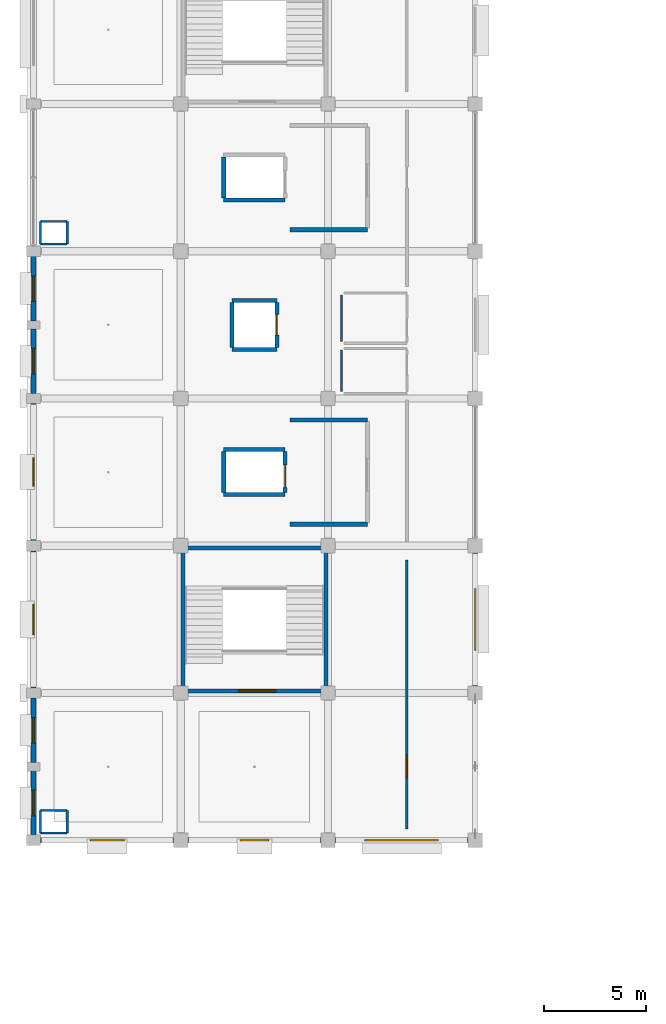
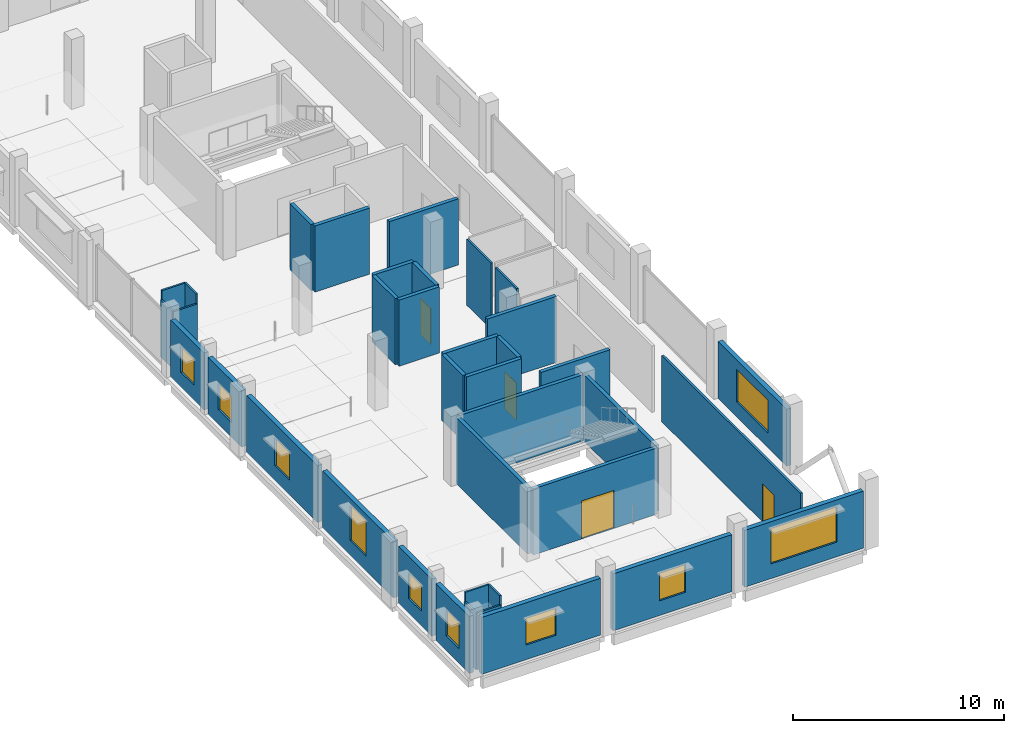
# One storey, part 52 of 77: 38 walls, 10 windows, 4 doors, 14 openings.
"""IFC4 building model written with IfcOpenShell, lengths in metres."""

from ifc_helpers import new_model, si_unit, direction, frame, frame_2d, origin, place, context, subcontext, project, spatial, rectangle, extrude, material, layer, layer_set, type_object, element, fill, save


model = new_model("IFC4")

# Units and contexts
model_context = context("Model", 3, precision=1e-05, world=origin(), true_north=direction((0.0, 1.0)))
body_context = subcontext(model_context, "Body", "Model", "MODEL_VIEW")
ifc_project = project(units=[si_unit("LENGTHUNIT", "METRE"), si_unit("AREAUNIT", "SQUARE_METRE"), si_unit("VOLUMEUNIT", "CUBIC_METRE"), si_unit("PLANEANGLEUNIT", "RADIAN"), si_unit("MASSUNIT", "GRAM", prefix="KILO")], contexts=[model_context])

# Site, building, storey
site_placement = place(None, origin())
site = spatial("IfcSite", under=ifc_project, at=site_placement, CompositionType="ELEMENT")
building_placement = place(site_placement, origin())
building = spatial("IfcBuilding", under=site, at=building_placement, Name="Kangsadwip Square Police Headquarters", CompositionType="ELEMENT")
storey_placement = place(building_placement, frame((0.0, 0.0, 17.550048828125)))
storey = spatial("IfcBuildingStorey", under=building, at=storey_placement, Name="L04", CompositionType="ELEMENT", Elevation=17.550048828125)

# Wall, opening, door
ifc_material_1 = material(Name="Fire-rated double gypsum board acoustic stud partition", Category="masonry")
ifc_layer_1 = layer(ifc_material_1, 0.1201171875)
ifc_layer_set_1 = layer_set([ifc_layer_1], Name="Fire-rated double gypsum board acoustic stud partition")
wall_type_1 = type_object("IfcWallType", Name="AcousticPartition120", PredefinedType="PARTITIONING", material=ifc_layer_set_1)
wall_1_placement = place(storey_placement, frame((18.25, 36.550048828125, 0.0), z_axis=(0.0, 0.0, 1.0), x_axis=(0.0, 1.0, 0.0)))
wall_1 = element("IfcWall", 1, at=wall_1_placement, inside=storey, type_object=wall_type_1, Name="Interior Wall WI-L04-0858", PredefinedType="PARTITIONING", context=body_context, shape_type="SweptSolid", body=[
    extrude(rectangle(XDim=13.14990234375, YDim=0.1201171875, at=frame_2d((6.574951171875, 0.0))), origin(), (0.0, 0.0, 1.0), 3.829833984375),
])
opening_1_placement = place(wall_1_placement, frame((2.510009765625, 0.0, 0.0)))
opening_1 = element("IfcOpeningElement", 2, at=opening_1_placement, cuts=wall_1, Name="Opening FD-11A", PredefinedType="OPENING", context=body_context, shape_type="SweptSolid", body=[
    extrude(rectangle(XDim=1.10009765625, YDim=2.199951171875, at=frame_2d((0.550048828125, 1.10009765625))), frame((0.0, 0.070068359375, 0.0), z_axis=(0.0, -1.0, 0.0), x_axis=(1.0, 0.0, 0.0)), (0.0, 0.0, 1.0), 0.14013671875),
])
ifc_material_2 = material(Name="Insulated galvanized steel fire-rated door assembly", Category="steel")
door_type_1 = type_object("IfcDoorType", Name="LabSingleDoor1100x2200", OperationType="NOTDEFINED", PredefinedType="DOOR", material=ifc_material_2)
door_1_placement = place(opening_1_placement, origin())
door_1 = element("IfcDoor", 3, at=door_1_placement, inside=storey, type_object=door_type_1, Name="Interior Door ID-L04-0231", OperationType="SINGLE_SWING_RIGHT", OverallHeight=2.199951171875, OverallWidth=1.10009765625, PredefinedType="DOOR", context=body_context, shape_type="SweptSolid", body=[
    extrude(rectangle(XDim=1.10009765625, YDim=2.199951171875, at=frame_2d((0.550048828125, 1.10009765625))), frame((0.0, 0.02490234375, 0.0), z_axis=(0.0, -1.0, 0.0), x_axis=(1.0, 0.0, 0.0)), (0.0, 0.0, 1.0), 0.050048828125),
])
fill(opening_1, door_1)

# Wall, opening, window
ifc_material_3 = material(Name="Glazed architectural terracotta masonry rainscreen", Category="masonry")
ifc_layer_2 = layer(ifc_material_3, 0.25)
ifc_layer_set_2 = layer_set([ifc_layer_2], Name="Glazed architectural terracotta masonry rainscreen")
wall_type_2 = type_object("IfcWallType", Name="ChicagoTerracottaWall250", PredefinedType="SOLIDWALL", material=ifc_layer_set_2)
wall_2_placement = place(storey_placement, frame((0.344970703125, 36.0, 0.0), z_axis=(0.0, 0.0, 1.0), x_axis=(1.0, 0.0, 0.0)))
wall_2 = element("IfcWall", 4, at=wall_2_placement, inside=storey, type_object=wall_type_2, Name="Exterior Wall WE-L04-428", PredefinedType="SOLIDWALL", context=body_context, shape_type="SweptSolid", body=[
    extrude(rectangle(XDim=6.510009765625, YDim=0.25, at=frame_2d((3.2548828125, 0.0))), origin(), (0.0, 0.0, 1.0), 3.294921875),
])
opening_2_placement = place(wall_2_placement, frame((2.429931640625, 0.0, 0.85009765625)))
opening_2 = element("IfcOpeningElement", 5, at=opening_2_placement, cuts=wall_2, Name="Opening WN-11", PredefinedType="OPENING", context=body_context, shape_type="SweptSolid", body=[
    extrude(rectangle(XDim=1.64990234375, YDim=1.550048828125, at=frame_2d((0.824951171875, 0.77490234375))), frame((0.0, 0.135009765625, 0.0), z_axis=(0.0, -1.0, 0.0), x_axis=(1.0, 0.0, 0.0)), (0.0, 0.0, 1.0), 0.27001953125),
])
ifc_material_4 = material(Name="Double-glazed solar-control low-E safety glass", Category="glass")
window_type_1 = type_object("IfcWindowType", Name="LabCleanViewWin1650x1550", PartitioningType="SINGLE_PANEL", PredefinedType="WINDOW", material=ifc_material_4)
window_1_placement = place(opening_2_placement, origin())
window_1 = element("IfcWindow", 6, at=window_1_placement, inside=storey, type_object=window_type_1, Name="Window WN-L04-0279", OverallHeight=1.550048828125, OverallWidth=1.64990234375, PartitioningType="SINGLE_PANEL", PredefinedType="WINDOW", context=body_context, shape_type="SweptSolid", body=[
    extrude(rectangle(XDim=1.64990234375, YDim=1.550048828125, at=frame_2d((0.824951171875, 0.77490234375))), frame((0.0, 0.030029296875, 0.0), z_axis=(0.0, -1.0, 0.0), x_axis=(1.0, 0.0, 0.0)), (0.0, 0.0, 1.0), 0.06005859375),
])
fill(opening_2, window_1)

wall_3_placement = place(storey_placement, frame((7.544921875, 36.0, 0.0), z_axis=(0.0, 0.0, 1.0), x_axis=(1.0, 0.0, 0.0)))
wall_3 = element("IfcWall", 7, at=wall_3_placement, inside=storey, type_object=wall_type_2, Name="Exterior Wall WE-L04-429", PredefinedType="SOLIDWALL", context=body_context, shape_type="SweptSolid", body=[
    extrude(rectangle(XDim=6.510009765625, YDim=0.25, at=frame_2d((3.2548828125, 0.0))), origin(), (0.0, 0.0, 1.0), 3.294921875),
])
opening_3_placement = place(wall_3_placement, frame((2.554931640625, 0.0, 0.85009765625)))
opening_3 = element("IfcOpeningElement", 8, at=opening_3_placement, cuts=wall_3, Name="Opening WN-13", PredefinedType="OPENING", context=body_context, shape_type="SweptSolid", body=[
    extrude(rectangle(XDim=1.39990234375, YDim=1.60009765625, at=frame_2d((0.699951171875, 0.800048828125))), frame((0.0, 0.135009765625, 0.0), z_axis=(0.0, -1.0, 0.0), x_axis=(1.0, 0.0, 0.0)), (0.0, 0.0, 1.0), 0.27001953125),
])
ifc_material_5 = material(Name="Double-glazed solar-control low-E safety glass", Category="glass")
window_type_2 = type_object("IfcWindowType", Name="OfficeCasementWin1400x1600", PartitioningType="SINGLE_PANEL", PredefinedType="WINDOW", material=ifc_material_5)
window_2_placement = place(opening_3_placement, origin())
window_2 = element("IfcWindow", 9, at=window_2_placement, inside=storey, type_object=window_type_2, Name="Window WN-L04-0280", OverallHeight=1.60009765625, OverallWidth=1.39990234375, PartitioningType="SINGLE_PANEL", PredefinedType="WINDOW", context=body_context, shape_type="SweptSolid", body=[
    extrude(rectangle(XDim=1.39990234375, YDim=1.60009765625, at=frame_2d((0.699951171875, 0.800048828125))), frame((0.0, 0.030029296875, 0.0), z_axis=(0.0, -1.0, 0.0), x_axis=(1.0, 0.0, 0.0)), (0.0, 0.0, 1.0), 0.06005859375),
])
fill(opening_3, window_2)

wall_4_placement = place(storey_placement, frame((14.7451171875, 36.0, 0.0), z_axis=(0.0, 0.0, 1.0), x_axis=(1.0, 0.0, 0.0)))
wall_4 = element("IfcWall", 10, at=wall_4_placement, inside=storey, type_object=wall_type_2, Name="Exterior Wall WE-L04-430", PredefinedType="SOLIDWALL", context=body_context, shape_type="SweptSolid", body=[
    extrude(rectangle(XDim=6.509765625, YDim=0.25, at=frame_2d((3.2548828125, 0.0))), origin(), (0.0, 0.0, 1.0), 3.294921875),
])
opening_4_placement = place(wall_4_placement, frame((1.455078125, 0.0, 0.85009765625)))
opening_4 = element("IfcOpeningElement", 11, at=opening_4_placement, cuts=wall_4, Name="Opening WN-01", PredefinedType="OPENING", context=body_context, shape_type="SweptSolid", body=[
    extrude(rectangle(XDim=3.60009765625, YDim=2.050048828125, at=frame_2d((1.800048828125, 1.02490234375))), frame((0.0, 0.135009765625, 0.0), z_axis=(0.0, -1.0, 0.0), x_axis=(1.0, 0.0, 0.0)), (0.0, 0.0, 1.0), 0.27001953125),
])
ifc_material_6 = material(Name="Double-glazed solar-control low-E safety glass", Category="glass")
window_type_3 = type_object("IfcWindowType", Name="ChicagoTripartiteWin3600x2050", PartitioningType="TRIPLE_PANEL_HORIZONTAL", PredefinedType="WINDOW", material=ifc_material_6)
window_3_placement = place(opening_4_placement, origin())
window_3 = element("IfcWindow", 12, at=window_3_placement, inside=storey, type_object=window_type_3, Name="Window WN-L04-0281", OverallHeight=2.050048828125, OverallWidth=3.60009765625, PartitioningType="SINGLE_PANEL", PredefinedType="WINDOW", context=body_context, shape_type="SweptSolid", body=[
    extrude(rectangle(XDim=3.60009765625, YDim=2.050048828125, at=frame_2d((1.800048828125, 1.02490234375))), frame((0.0, 0.030029296875, 0.0), z_axis=(0.0, -1.0, 0.0), x_axis=(1.0, 0.0, 0.0)), (0.0, 0.0, 1.0), 0.06005859375),
])
fill(opening_4, window_3)

wall_5_placement = place(storey_placement, frame((0.0, 36.2451171875, 0.0), z_axis=(0.0, 0.0, 1.0), x_axis=(0.0, 1.0, 0.0)))
wall_5 = element("IfcWall", 13, at=wall_5_placement, inside=storey, type_object=wall_type_2, Name="Exterior Wall WE-L04-440", PredefinedType="SOLIDWALL", context=body_context, shape_type="SweptSolid", body=[
    extrude(rectangle(XDim=3.159912109375, YDim=0.25, at=frame_2d((1.580078125, 0.0))), origin(), (0.0, 0.0, 1.0), 3.294921875),
])
opening_5_placement = place(wall_5_placement, frame((0.955078125, 0.0, 0.85009765625)))
opening_5 = element("IfcOpeningElement", 14, at=opening_5_placement, cuts=wall_5, Name="Opening WN-14", PredefinedType="OPENING", context=body_context, shape_type="SweptSolid", body=[
    extrude(rectangle(XDim=1.25, YDim=1.5, at=frame_2d((0.625, 0.75))), frame((0.0, 0.135009765625, 0.0), z_axis=(0.0, -1.0, 0.0), x_axis=(1.0, 0.0, 0.0)), (0.0, 0.0, 1.0), 0.27001953125),
])
ifc_material_7 = material(Name="Double-glazed solar-control low-E safety glass", Category="glass")
window_type_4 = type_object("IfcWindowType", Name="OfficeCasementWin1250x1500", PartitioningType="SINGLE_PANEL", PredefinedType="WINDOW", material=ifc_material_7)
window_4_placement = place(opening_5_placement, origin())
window_4 = element("IfcWindow", 15, at=window_4_placement, inside=storey, type_object=window_type_4, Name="Window WN-L04-0290", OverallHeight=1.5, OverallWidth=1.25, PartitioningType="SINGLE_PANEL", PredefinedType="WINDOW", context=body_context, shape_type="SweptSolid", body=[
    extrude(rectangle(XDim=1.25, YDim=1.5, at=frame_2d((0.625, 0.75))), frame((0.0, 0.030029296875, 0.0), z_axis=(0.0, -1.0, 0.0), x_axis=(1.0, 0.0, 0.0)), (0.0, 0.0, 1.0), 0.06005859375),
])
fill(opening_5, window_4)

wall_6_placement = place(storey_placement, frame((0.0, 39.794921875, 0.0), z_axis=(0.0, 0.0, 1.0), x_axis=(0.0, 1.0, 0.0)))
wall_6 = element("IfcWall", 16, at=wall_6_placement, inside=storey, type_object=wall_type_2, Name="Exterior Wall WE-L04-441", PredefinedType="SOLIDWALL", context=body_context, shape_type="SweptSolid", body=[
    extrude(rectangle(XDim=3.16015625, YDim=0.25, at=frame_2d((1.580078125, 0.0))), origin(), (0.0, 0.0, 1.0), 3.294921875),
])
opening_6_placement = place(wall_6_placement, frame((0.955078125, 0.0, 0.85009765625)))
opening_6 = element("IfcOpeningElement", 17, at=opening_6_placement, cuts=wall_6, Name="Opening WN-14", PredefinedType="OPENING", context=body_context, shape_type="SweptSolid", body=[
    extrude(rectangle(XDim=1.25, YDim=1.5, at=frame_2d((0.625, 0.75))), frame((0.0, 0.135009765625, 0.0), z_axis=(0.0, -1.0, 0.0), x_axis=(1.0, 0.0, 0.0)), (0.0, 0.0, 1.0), 0.27001953125),
])
window_5_placement = place(opening_6_placement, origin())
window_5 = element("IfcWindow", 18, at=window_5_placement, inside=storey, type_object=window_type_4, Name="Window WN-L04-0291", OverallHeight=1.5, OverallWidth=1.25, PartitioningType="SINGLE_PANEL", PredefinedType="WINDOW", context=body_context, shape_type="SweptSolid", body=[
    extrude(rectangle(XDim=1.25, YDim=1.5, at=frame_2d((0.625, 0.75))), frame((0.0, 0.030029296875, 0.0), z_axis=(0.0, -1.0, 0.0), x_axis=(1.0, 0.0, 0.0)), (0.0, 0.0, 1.0), 0.06005859375),
])
fill(opening_6, window_5)

wall_7_placement = place(storey_placement, frame((0.0, 43.445068359375, 0.0), z_axis=(0.0, 0.0, 1.0), x_axis=(0.0, 1.0, 0.0)))
wall_7 = element("IfcWall", 19, at=wall_7_placement, inside=storey, type_object=wall_type_2, Name="Exterior Wall WE-L04-442", PredefinedType="SOLIDWALL", context=body_context, shape_type="SweptSolid", body=[
    extrude(rectangle(XDim=6.7099609375, YDim=0.25, at=frame_2d((3.35498046875, 0.0))), origin(), (0.0, 0.0, 1.0), 3.294921875),
])
opening_7_placement = place(wall_7_placement, frame((2.60498046875, 0.0, 0.85009765625)))
opening_7 = element("IfcOpeningElement", 20, at=opening_7_placement, cuts=wall_7, Name="Opening WN-12", PredefinedType="OPENING", context=body_context, shape_type="SweptSolid", body=[
    extrude(rectangle(XDim=1.5, YDim=2.050048828125, at=frame_2d((0.75, 1.02490234375))), frame((0.0, 0.135009765625, 0.0), z_axis=(0.0, -1.0, 0.0), x_axis=(1.0, 0.0, 0.0)), (0.0, 0.0, 1.0), 0.27001953125),
])
ifc_material_8 = material(Name="Double-glazed solar-control low-E safety glass", Category="glass")
window_type_5 = type_object("IfcWindowType", Name="DirectorateTallWin1500x2050", PartitioningType="SINGLE_PANEL", PredefinedType="WINDOW", material=ifc_material_8)
window_6_placement = place(opening_7_placement, origin())
window_6 = element("IfcWindow", 21, at=window_6_placement, inside=storey, type_object=window_type_5, Name="Window WN-L04-0292", OverallHeight=2.050048828125, OverallWidth=1.5, PartitioningType="SINGLE_PANEL", PredefinedType="WINDOW", context=body_context, shape_type="SweptSolid", body=[
    extrude(rectangle(XDim=1.5, YDim=2.050048828125, at=frame_2d((0.75, 1.02490234375))), frame((0.0, 0.030029296875, 0.0), z_axis=(0.0, -1.0, 0.0), x_axis=(1.0, 0.0, 0.0)), (0.0, 0.0, 1.0), 0.06005859375),
])
fill(opening_7, window_6)

wall_8_placement = place(storey_placement, frame((0.0, 50.64501953125, 0.0), z_axis=(0.0, 0.0, 1.0), x_axis=(0.0, 1.0, 0.0)))
wall_8 = element("IfcWall", 22, at=wall_8_placement, inside=storey, type_object=wall_type_2, Name="Exterior Wall WE-L04-443", PredefinedType="SOLIDWALL", context=body_context, shape_type="SweptSolid", body=[
    extrude(rectangle(XDim=6.7099609375, YDim=0.25, at=frame_2d((3.35498046875, 0.0))), origin(), (0.0, 0.0, 1.0), 3.294921875),
])
opening_8_placement = place(wall_8_placement, frame((2.655029296875, 0.0, 0.85009765625)))
opening_8 = element("IfcOpeningElement", 23, at=opening_8_placement, cuts=wall_8, Name="Opening WN-13", PredefinedType="OPENING", context=body_context, shape_type="SweptSolid", body=[
    extrude(rectangle(XDim=1.39990234375, YDim=1.60009765625, at=frame_2d((0.699951171875, 0.800048828125))), frame((0.0, 0.135009765625, 0.0), z_axis=(0.0, -1.0, 0.0), x_axis=(1.0, 0.0, 0.0)), (0.0, 0.0, 1.0), 0.27001953125),
])
window_7_placement = place(opening_8_placement, origin())
window_7 = element("IfcWindow", 24, at=window_7_placement, inside=storey, type_object=window_type_2, Name="Window WN-L04-0293", OverallHeight=1.60009765625, OverallWidth=1.39990234375, PartitioningType="SINGLE_PANEL", PredefinedType="WINDOW", context=body_context, shape_type="SweptSolid", body=[
    extrude(rectangle(XDim=1.39990234375, YDim=1.60009765625, at=frame_2d((0.699951171875, 0.800048828125))), frame((0.0, 0.030029296875, 0.0), z_axis=(0.0, -1.0, 0.0), x_axis=(1.0, 0.0, 0.0)), (0.0, 0.0, 1.0), 0.06005859375),
])
fill(opening_8, window_7)

wall_9_placement = place(storey_placement, frame((0.0, 57.844970703125, 0.0), z_axis=(0.0, 0.0, 1.0), x_axis=(0.0, 1.0, 0.0)))
wall_9 = element("IfcWall", 25, at=wall_9_placement, inside=storey, type_object=wall_type_2, Name="Exterior Wall WE-L04-444", PredefinedType="SOLIDWALL", context=body_context, shape_type="SweptSolid", body=[
    extrude(rectangle(XDim=3.159912109375, YDim=0.25, at=frame_2d((1.580078125, 0.0))), origin(), (0.0, 0.0, 1.0), 3.294921875),
])
opening_9_placement = place(wall_9_placement, frame((0.955078125, 0.0, 0.85009765625)))
opening_9 = element("IfcOpeningElement", 26, at=opening_9_placement, cuts=wall_9, Name="Opening WN-14", PredefinedType="OPENING", context=body_context, shape_type="SweptSolid", body=[
    extrude(rectangle(XDim=1.25, YDim=1.5, at=frame_2d((0.625, 0.75))), frame((0.0, 0.135009765625, 0.0), z_axis=(0.0, -1.0, 0.0), x_axis=(1.0, 0.0, 0.0)), (0.0, 0.0, 1.0), 0.27001953125),
])
window_8_placement = place(opening_9_placement, origin())
window_8 = element("IfcWindow", 27, at=window_8_placement, inside=storey, type_object=window_type_4, Name="Window WN-L04-0294", OverallHeight=1.5, OverallWidth=1.25, PartitioningType="SINGLE_PANEL", PredefinedType="WINDOW", context=body_context, shape_type="SweptSolid", body=[
    extrude(rectangle(XDim=1.25, YDim=1.5, at=frame_2d((0.625, 0.75))), frame((0.0, 0.030029296875, 0.0), z_axis=(0.0, -1.0, 0.0), x_axis=(1.0, 0.0, 0.0)), (0.0, 0.0, 1.0), 0.06005859375),
])
fill(opening_9, window_8)

wall_10_placement = place(storey_placement, frame((0.0, 61.39501953125, 0.0), z_axis=(0.0, 0.0, 1.0), x_axis=(0.0, 1.0, 0.0)))
wall_10 = element("IfcWall", 28, at=wall_10_placement, inside=storey, type_object=wall_type_2, Name="Exterior Wall WE-L04-445", PredefinedType="SOLIDWALL", context=body_context, shape_type="SweptSolid", body=[
    extrude(rectangle(XDim=3.159912109375, YDim=0.25, at=frame_2d((1.580078125, 0.0))), origin(), (0.0, 0.0, 1.0), 3.294921875),
])
opening_10_placement = place(wall_10_placement, frame((0.955078125, 0.0, 0.85009765625)))
opening_10 = element("IfcOpeningElement", 29, at=opening_10_placement, cuts=wall_10, Name="Opening WN-14", PredefinedType="OPENING", context=body_context, shape_type="SweptSolid", body=[
    extrude(rectangle(XDim=1.25, YDim=1.5, at=frame_2d((0.625, 0.75))), frame((0.0, 0.135009765625, 0.0), z_axis=(0.0, -1.0, 0.0), x_axis=(1.0, 0.0, 0.0)), (0.0, 0.0, 1.0), 0.27001953125),
])
window_9_placement = place(opening_10_placement, origin())
window_9 = element("IfcWindow", 30, at=window_9_placement, inside=storey, type_object=window_type_4, Name="Window WN-L04-0295", OverallHeight=1.5, OverallWidth=1.25, PartitioningType="SINGLE_PANEL", PredefinedType="WINDOW", context=body_context, shape_type="SweptSolid", body=[
    extrude(rectangle(XDim=1.25, YDim=1.5, at=frame_2d((0.625, 0.75))), frame((0.0, 0.030029296875, 0.0), z_axis=(0.0, -1.0, 0.0), x_axis=(1.0, 0.0, 0.0)), (0.0, 0.0, 1.0), 0.06005859375),
])
fill(opening_10, window_9)

wall_11_placement = place(storey_placement, frame((21.60009765625, 43.544921875, 0.0), z_axis=(0.0, 0.0, 1.0), x_axis=(0.0, 1.0, 0.0)))
wall_11 = element("IfcWall", 31, at=wall_11_placement, inside=storey, type_object=wall_type_2, Name="Exterior Wall WE-L04-450", PredefinedType="SOLIDWALL", context=body_context, shape_type="SweptSolid", body=[
    extrude(rectangle(XDim=6.510009765625, YDim=0.25, at=frame_2d((3.2548828125, 0.0))), origin(), (0.0, 0.0, 1.0), 3.294921875),
])
opening_11_placement = place(wall_11_placement, frame((1.7548828125, 0.0, 0.85009765625)))
opening_11 = element("IfcOpeningElement", 32, at=opening_11_placement, cuts=wall_11, Name="Opening WN-04", PredefinedType="OPENING", context=body_context, shape_type="SweptSolid", body=[
    extrude(rectangle(XDim=3.0, YDim=1.89990234375, at=frame_2d((1.5, 0.949951171875))), frame((0.0, 0.135009765625, 0.0), z_axis=(0.0, -1.0, 0.0), x_axis=(1.0, 0.0, 0.0)), (0.0, 0.0, 1.0), 0.27001953125),
])
ifc_material_9 = material(Name="Double-glazed solar-control low-E safety glass", Category="glass")
window_type_6 = type_object("IfcWindowType", Name="ChicagoTripartiteWin3000x1900", PartitioningType="TRIPLE_PANEL_HORIZONTAL", PredefinedType="WINDOW", material=ifc_material_9)
window_10_placement = place(opening_11_placement, origin())
window_10 = element("IfcWindow", 33, at=window_10_placement, inside=storey, type_object=window_type_6, Name="Window WN-L04-0300", OverallHeight=1.89990234375, OverallWidth=3.0, PartitioningType="SINGLE_PANEL", PredefinedType="WINDOW", context=body_context, shape_type="SweptSolid", body=[
    extrude(rectangle(XDim=3.0, YDim=1.89990234375, at=frame_2d((1.5, 0.949951171875))), frame((0.0, 0.030029296875, 0.0), z_axis=(0.0, -1.0, 0.0), x_axis=(1.0, 0.0, 0.0)), (0.0, 0.0, 1.0), 0.06005859375),
])
fill(opening_11, window_10)

# Wall, opening, door
ifc_material_10 = material(Name="Concrete M40 (40 MPa)", Category="concrete")
ifc_layer_3 = layer(ifc_material_10, 0.199951171875)
ifc_layer_set_3 = layer_set([ifc_layer_3], Name="Concrete M40 (40 MPa)")
wall_type_3 = type_object("IfcWallType", Name="CoreShearWall200", PredefinedType="SHEAR", material=ifc_layer_set_3)
wall_12_placement = place(storey_placement, frame((7.39990234375, 43.300048828125, 0.0), z_axis=(0.0, 0.0, 1.0), x_axis=(1.0, 0.0, 0.0)))
wall_12 = element("IfcWall", 34, at=wall_12_placement, inside=storey, type_object=wall_type_3, Name="Interior Wall WI-L04-0029", PredefinedType="SHEAR", context=body_context, shape_type="SweptSolid", body=[
    extrude(rectangle(XDim=6.800048828125, YDim=0.199951171875, at=frame_2d((3.39990234375, 0.0))), origin(), (0.0, 0.0, 1.0), 3.829833984375),
])
opening_12_placement = place(wall_12_placement, frame((2.632080078125, 0.0, 0.0)))
opening_12 = element("IfcOpeningElement", 35, at=opening_12_placement, cuts=wall_12, Name="Opening FD-18", PredefinedType="OPENING", context=body_context, shape_type="SweptSolid", body=[
    extrude(rectangle(XDim=1.800048828125, YDim=2.199951171875, at=frame_2d((0.89990234375, 1.10009765625))), frame((0.0, 0.10986328125, 0.0), z_axis=(0.0, -1.0, 0.0), x_axis=(1.0, 0.0, 0.0)), (0.0, 0.0, 1.0), 0.219970703125),
])
ifc_material_11 = material(Name="Insulated galvanized steel fire-rated door assembly", Category="steel")
door_type_2 = type_object("IfcDoorType", Name="StairFireDoor1800x2200", OperationType="DOUBLE_DOOR_SINGLE_SWING", PredefinedType="DOOR", material=ifc_material_11)
door_2_placement = place(opening_12_placement, origin())
door_2 = element("IfcDoor", 36, at=door_2_placement, inside=storey, type_object=door_type_2, Name="Interior Door ID-L04-0006", OperationType="DOUBLE_DOOR_SINGLE_SWING", OverallHeight=2.199951171875, OverallWidth=1.800048828125, PredefinedType="DOOR", context=body_context, shape_type="SweptSolid", body=[
    extrude(rectangle(XDim=1.800048828125, YDim=2.199951171875, at=frame_2d((0.89990234375, 1.10009765625))), frame((0.0, 0.02490234375, 0.0), z_axis=(0.0, -1.0, 0.0), x_axis=(1.0, 0.0, 0.0)), (0.0, 0.0, 1.0), 0.050048828125),
])
fill(opening_12, door_2)

# Walls
for number, where, z_axis, x_axis, name in (
    (37, (7.39990234375, 50.300048828125, 0.0), (0.0, 0.0, 1.0), (1.0, 0.0, 0.0), "Interior Wall WI-L04-0030"),
    (38, (7.300048828125, 43.39990234375, 0.0), (0.0, 0.0, 1.0), (0.0, 1.0, 0.0), "Interior Wall WI-L04-0031"),
    (39, (14.300048828125, 43.39990234375, 0.0), (0.0, 0.0, 1.0), (0.0, 1.0, 0.0), "Interior Wall WI-L04-0032"),
):
    element("IfcWall", number, at=place(storey_placement, frame(where, z_axis=z_axis, x_axis=x_axis)), inside=storey, type_object=wall_type_3, Name=name, PredefinedType="SHEAR", context=body_context, shape_type="SweptSolid", body=[
        extrude(rectangle(XDim=6.800048828125, YDim=0.199951171875, at=frame_2d((3.39990234375, 0.0))), origin(), (0.0, 0.0, 1.0), 3.829833984375),
    ])
for number, where, z_axis, x_axis, name in (
    (40, (9.300048828125, 52.89990234375, 0.0), (0.0, 0.0, 1.0), (1.0, 0.0, 0.0), "Interior Wall WI-L04-0251"),
    (41, (9.300048828125, 55.10009765625, 0.0), (0.0, 0.0, 1.0), (1.0, 0.0, 0.0), "Interior Wall WI-L04-0252"),
):
    element("IfcWall", number, at=place(storey_placement, frame(where, z_axis=z_axis, x_axis=x_axis)), inside=storey, type_object=wall_type_3, Name=name, PredefinedType="SHEAR", context=body_context, shape_type="SweptSolid", body=[
        extrude(rectangle(XDim=3.0, YDim=0.199951171875, at=frame_2d((1.5, 0.0))), origin(), (0.0, 0.0, 1.0), 3.829833984375),
    ])
wall_13_placement = place(storey_placement, frame((9.300048828125, 53.0, 0.0), z_axis=(0.0, 0.0, 1.0), x_axis=(0.0, 1.0, 0.0)))
element("IfcWall", 42, at=wall_13_placement, inside=storey, type_object=wall_type_3, Name="Interior Wall WI-L04-0253", PredefinedType="SHEAR", context=body_context, shape_type="SweptSolid", body=[
    extrude(rectangle(XDim=2.0, YDim=0.199951171875, at=frame_2d((1.0, 0.0))), origin(), (0.0, 0.0, 1.0), 3.829833984375),
])

# Wall, opening, door
wall_14_placement = place(storey_placement, frame((12.300048828125, 53.0, 0.0), z_axis=(0.0, 0.0, 1.0), x_axis=(0.0, 1.0, 0.0)))
wall_14 = element("IfcWall", 43, at=wall_14_placement, inside=storey, type_object=wall_type_3, Name="Interior Wall WI-L04-0254", PredefinedType="SHEAR", context=body_context, shape_type="SweptSolid", body=[
    extrude(rectangle(XDim=2.0, YDim=0.199951171875, at=frame_2d((1.0, 0.0))), origin(), (0.0, 0.0, 1.0), 3.829833984375),
])
opening_13_placement = place(wall_14_placement, frame((0.25, 0.0, 0.0)))
opening_13 = element("IfcOpeningElement", 44, at=opening_13_placement, cuts=wall_14, Name="Opening LD-006", PredefinedType="OPENING", context=body_context, shape_type="SweptSolid", body=[
    extrude(rectangle(XDim=1.10009765625, YDim=2.14990234375, at=frame_2d((0.550048828125, 1.074951171875))), frame((0.0, 0.10986328125, 0.0), z_axis=(0.0, -1.0, 0.0), x_axis=(1.0, 0.0, 0.0)), (0.0, 0.0, 1.0), 0.219970703125),
])
ifc_material_12 = material(Name="Brushed stainless steel automatic sliding lift landing door", Category="steel")
door_type_3 = type_object("IfcDoorType", Name="LiftLandingDoor1100x2150", OperationType="DOUBLE_DOOR_SLIDING", PredefinedType="DOOR", material=ifc_material_12)
door_3_placement = place(opening_13_placement, origin())
door_3 = element("IfcDoor", 45, at=door_3_placement, inside=storey, type_object=door_type_3, Name="Interior Door LD-006", OperationType="DOUBLE_DOOR_SLIDING", OverallHeight=2.14990234375, OverallWidth=1.10009765625, PredefinedType="DOOR", context=body_context, shape_type="SweptSolid", body=[
    extrude(rectangle(XDim=1.10009765625, YDim=2.14990234375, at=frame_2d((0.550048828125, 1.074951171875))), frame((0.0, 0.02490234375, 0.0), z_axis=(0.0, -1.0, 0.0), x_axis=(1.0, 0.0, 0.0)), (0.0, 0.0, 1.0), 0.050048828125),
])
fill(opening_13, door_3)

# Walls
wall_15_placement = place(storey_placement, frame((9.300048828125, 67.300048828125, 0.0), z_axis=(0.0, 0.0, 1.0), x_axis=(1.0, 0.0, 0.0)))
element("IfcWall", 46, at=wall_15_placement, inside=storey, type_object=wall_type_3, Name="Interior Wall WI-L04-0291", PredefinedType="SHEAR", context=body_context, shape_type="SweptSolid", body=[
    extrude(rectangle(XDim=3.0, YDim=0.199951171875, at=frame_2d((1.5, 0.0))), origin(), (0.0, 0.0, 1.0), 3.829833984375),
])
wall_16_placement = place(storey_placement, frame((9.300048828125, 67.39990234375, 0.0), z_axis=(0.0, 0.0, 1.0), x_axis=(0.0, 1.0, 0.0)))
element("IfcWall", 47, at=wall_16_placement, inside=storey, type_object=wall_type_3, Name="Interior Wall WI-L04-0293", PredefinedType="SHEAR", context=body_context, shape_type="SweptSolid", body=[
    extrude(rectangle(XDim=2.0, YDim=0.199951171875, at=frame_2d((1.0, 0.0))), origin(), (0.0, 0.0, 1.0), 3.829833984375),
])
for number, where, z_axis, x_axis, name in (
    (48, (9.699951171875, 60.0, 0.0), (0.0, 0.0, 1.0), (1.0, 0.0, 0.0), "Interior Wall WI-L04-0367"),
    (49, (9.699951171875, 62.39990234375, 0.0), (0.0, 0.0, 1.0), (1.0, 0.0, 0.0), "Interior Wall WI-L04-0368"),
    (50, (9.699951171875, 60.10009765625, 0.0), (0.0, 0.0, 1.0), (0.0, 1.0, 0.0), "Interior Wall WI-L04-0369"),
):
    element("IfcWall", number, at=place(storey_placement, frame(where, z_axis=z_axis, x_axis=x_axis)), inside=storey, type_object=wall_type_3, Name=name, PredefinedType="SHEAR", context=body_context, shape_type="SweptSolid", body=[
        extrude(rectangle(XDim=2.199951171875, YDim=0.199951171875, at=frame_2d((1.10009765625, 0.0))), origin(), (0.0, 0.0, 1.0), 3.829833984375),
    ])

# Wall, opening, door
wall_17_placement = place(storey_placement, frame((11.89990234375, 60.10009765625, 0.0), z_axis=(0.0, 0.0, 1.0), x_axis=(0.0, 1.0, 0.0)))
wall_17 = element("IfcWall", 51, at=wall_17_placement, inside=storey, type_object=wall_type_3, Name="Interior Wall WI-L04-0370", PredefinedType="SHEAR", context=body_context, shape_type="SweptSolid", body=[
    extrude(rectangle(XDim=2.199951171875, YDim=0.199951171875, at=frame_2d((1.10009765625, 0.0))), origin(), (0.0, 0.0, 1.0), 3.829833984375),
])
opening_14_placement = place(wall_17_placement, frame((0.60009765625, 0.0, 0.0)))
opening_14 = element("IfcOpeningElement", 52, at=opening_14_placement, cuts=wall_17, Name="Opening LD-032", PredefinedType="OPENING", context=body_context, shape_type="SweptSolid", body=[
    extrude(rectangle(XDim=1.0, YDim=2.10009765625, at=frame_2d((0.5, 1.050048828125))), frame((0.0, 0.10986328125, 0.0), z_axis=(0.0, -1.0, 0.0), x_axis=(1.0, 0.0, 0.0)), (0.0, 0.0, 1.0), 0.219970703125),
])
ifc_material_13 = material(Name="Brushed stainless steel automatic sliding lift landing door", Category="steel")
door_type_4 = type_object("IfcDoorType", Name="LiftLandingDoor1000x2100", OperationType="DOUBLE_DOOR_SLIDING", PredefinedType="DOOR", material=ifc_material_13)
door_4_placement = place(opening_14_placement, origin())
door_4 = element("IfcDoor", 53, at=door_4_placement, inside=storey, type_object=door_type_4, Name="Interior Door LD-032", OperationType="DOUBLE_DOOR_SLIDING", OverallHeight=2.10009765625, OverallWidth=1.0, PredefinedType="DOOR", context=body_context, shape_type="SweptSolid", body=[
    extrude(rectangle(XDim=1.0, YDim=2.10009765625, at=frame_2d((0.5, 1.050048828125))), frame((0.0, 0.02490234375, 0.0), z_axis=(0.0, -1.0, 0.0), x_axis=(1.0, 0.0, 0.0)), (0.0, 0.0, 1.0), 0.050048828125),
])
fill(opening_14, door_4)

# Walls
ifc_material_14 = material(Name="Concrete M40 (40 MPa)", Category="concrete")
ifc_layer_4 = layer(ifc_material_14, 0.199951171875)
ifc_layer_set_4 = layer_set([ifc_layer_4], Name="Concrete M40 (40 MPa)")
wall_type_4 = type_object("IfcWallType", Name="CustodySecurityWall200", PredefinedType="SOLIDWALL", material=ifc_layer_set_4)
for number, where, z_axis, x_axis, name in (
    (54, (12.5400390625, 51.449951171875, 0.0), (0.0, 0.0, 1.0), (1.0, 0.0, 0.0), "Interior Wall WI-L04-0831"),
    (55, (12.5400390625, 56.550048828125, 0.0), (0.0, 0.0, 1.0), (1.0, 0.0, 0.0), "Interior Wall WI-L04-0832"),
    (56, (12.5400390625, 65.85009765625, 0.0), (0.0, 0.0, 1.0), (1.0, 0.0, 0.0), "Interior Wall WI-L04-0834"),
):
    element("IfcWall", number, at=place(storey_placement, frame(where, z_axis=z_axis, x_axis=x_axis)), inside=storey, type_object=wall_type_4, Name=name, PredefinedType="SOLIDWALL", context=body_context, shape_type="SweptSolid", body=[
        extrude(rectangle(XDim=3.780029296875, YDim=0.199951171875, at=frame_2d((1.89013671875, 0.0))), origin(), (0.0, 0.0, 1.0), 3.829833984375),
    ])
ifc_material_15 = material(Name="Autoclaved aerated concrete blockwork masonry", Category="masonry")
ifc_layer_5 = layer(ifc_material_15, 0.10009765625)
ifc_layer_set_5 = layer_set([ifc_layer_5], Name="Autoclaved aerated concrete blockwork masonry")
wall_type_5 = type_object("IfcWallType", Name="WetWallPartition100", PredefinedType="PARTITIONING", material=ifc_layer_set_5)
wall_18_placement = place(storey_placement, frame((0.35009765625, 36.35009765625, 0.0), z_axis=(0.0, 0.0, 1.0), x_axis=(1.0, 0.0, 0.0)))
element("IfcWall", 57, at=wall_18_placement, inside=storey, type_object=wall_type_5, Name="Interior Wall WI-L04-0531", PredefinedType="PARTITIONING", context=body_context, shape_type="SweptSolid", body=[
    extrude(rectangle(XDim=1.2998046875, YDim=0.10009765625, at=frame_2d((0.64990234375, 0.0))), origin(), (0.0, 0.0, 1.0), 3.300048828125),
])
wall_19_placement = place(storey_placement, frame((0.35009765625, 37.449951171875, 0.0), z_axis=(0.0, 0.0, 1.0), x_axis=(1.0, 0.0, 0.0)))
element("IfcWall", 58, at=wall_19_placement, inside=storey, type_object=wall_type_5, Name="Interior Wall WI-L04-0532", PredefinedType="PARTITIONING", context=body_context, shape_type="SweptSolid", body=[
    extrude(rectangle(XDim=1.2998046875, YDim=0.10009765625, at=frame_2d((0.64990234375, 0.0))), origin(), (0.0, 0.0, 1.0), 3.829833984375),
])
wall_20_placement = place(storey_placement, frame((0.35009765625, 36.35009765625, 0.0), z_axis=(0.0, 0.0, 1.0), x_axis=(0.0, 1.0, 0.0)))
element("IfcWall", 59, at=wall_20_placement, inside=storey, type_object=wall_type_5, Name="Interior Wall WI-L04-0533", PredefinedType="PARTITIONING", context=body_context, shape_type="SweptSolid", body=[
    extrude(rectangle(XDim=1.099853515625, YDim=0.10009765625, at=frame_2d((0.5498046875, 0.0))), origin(), (0.0, 0.0, 1.0), 3.300048828125),
])
wall_21_placement = place(storey_placement, frame((1.64990234375, 36.35009765625, 0.0), z_axis=(0.0, 0.0, 1.0), x_axis=(0.0, 1.0, 0.0)))
element("IfcWall", 60, at=wall_21_placement, inside=storey, type_object=wall_type_5, Name="Interior Wall WI-L04-0534", PredefinedType="PARTITIONING", context=body_context, shape_type="SweptSolid", body=[
    extrude(rectangle(XDim=1.099853515625, YDim=0.10009765625, at=frame_2d((0.5498046875, 0.0))), origin(), (0.0, 0.0, 1.0), 3.829833984375),
])
wall_22_placement = place(storey_placement, frame((0.35009765625, 65.14990234375, 0.0), z_axis=(0.0, 0.0, 1.0), x_axis=(1.0, 0.0, 0.0)))
element("IfcWall", 61, at=wall_22_placement, inside=storey, type_object=wall_type_5, Name="Interior Wall WI-L04-0563", PredefinedType="PARTITIONING", context=body_context, shape_type="SweptSolid", body=[
    extrude(rectangle(XDim=1.2998046875, YDim=0.10009765625, at=frame_2d((0.64990234375, 0.0))), origin(), (0.0, 0.0, 1.0), 3.27001953125),
])
wall_23_placement = place(storey_placement, frame((0.35009765625, 66.25, 0.0), z_axis=(0.0, 0.0, 1.0), x_axis=(1.0, 0.0, 0.0)))
element("IfcWall", 62, at=wall_23_placement, inside=storey, type_object=wall_type_5, Name="Interior Wall WI-L04-0564", PredefinedType="PARTITIONING", context=body_context, shape_type="SweptSolid", body=[
    extrude(rectangle(XDim=1.2998046875, YDim=0.10009765625, at=frame_2d((0.64990234375, 0.0))), origin(), (0.0, 0.0, 1.0), 3.829833984375),
])
wall_24_placement = place(storey_placement, frame((0.35009765625, 65.14990234375, 0.0), z_axis=(0.0, 0.0, 1.0), x_axis=(0.0, 1.0, 0.0)))
element("IfcWall", 63, at=wall_24_placement, inside=storey, type_object=wall_type_5, Name="Interior Wall WI-L04-0565", PredefinedType="PARTITIONING", context=body_context, shape_type="SweptSolid", body=[
    extrude(rectangle(XDim=1.10009765625, YDim=0.10009765625, at=frame_2d((0.550048828125, 0.0))), origin(), (0.0, 0.0, 1.0), 3.300048828125),
])
wall_25_placement = place(storey_placement, frame((1.64990234375, 65.14990234375, 0.0), z_axis=(0.0, 0.0, 1.0), x_axis=(0.0, 1.0, 0.0)))
element("IfcWall", 64, at=wall_25_placement, inside=storey, type_object=wall_type_5, Name="Interior Wall WI-L04-0566", PredefinedType="PARTITIONING", context=body_context, shape_type="SweptSolid", body=[
    extrude(rectangle(XDim=1.10009765625, YDim=0.10009765625, at=frame_2d((0.550048828125, 0.0))), origin(), (0.0, 0.0, 1.0), 3.829833984375),
])
wall_26_placement = place(storey_placement, frame((15.050048828125, 57.929931640625, 0.0), z_axis=(0.0, 0.0, 1.0), x_axis=(0.0, 1.0, 0.0)))
element("IfcWall", 65, at=wall_26_placement, inside=storey, type_object=wall_type_5, Name="Interior Wall WI-L04-0842", PredefinedType="PARTITIONING", context=body_context, shape_type="SweptSolid", body=[
    extrude(rectangle(XDim=2.0400390625, YDim=0.10009765625, at=frame_2d((1.02001953125, 0.0))), origin(), (0.0, 0.0, 1.0), 3.829833984375),
])
wall_27_placement = place(storey_placement, frame((15.050048828125, 60.3798828125, 0.0), z_axis=(0.0, 0.0, 1.0), x_axis=(0.0, 1.0, 0.0)))
element("IfcWall", 66, at=wall_27_placement, inside=storey, type_object=wall_type_5, Name="Interior Wall WI-L04-0846", PredefinedType="PARTITIONING", context=body_context, shape_type="SweptSolid", body=[
    extrude(rectangle(XDim=2.2900390625, YDim=0.10009765625, at=frame_2d((1.14501953125, 0.0))), origin(), (0.0, 0.0, 1.0), 3.829833984375),
])

save(model, "model.ifc")
